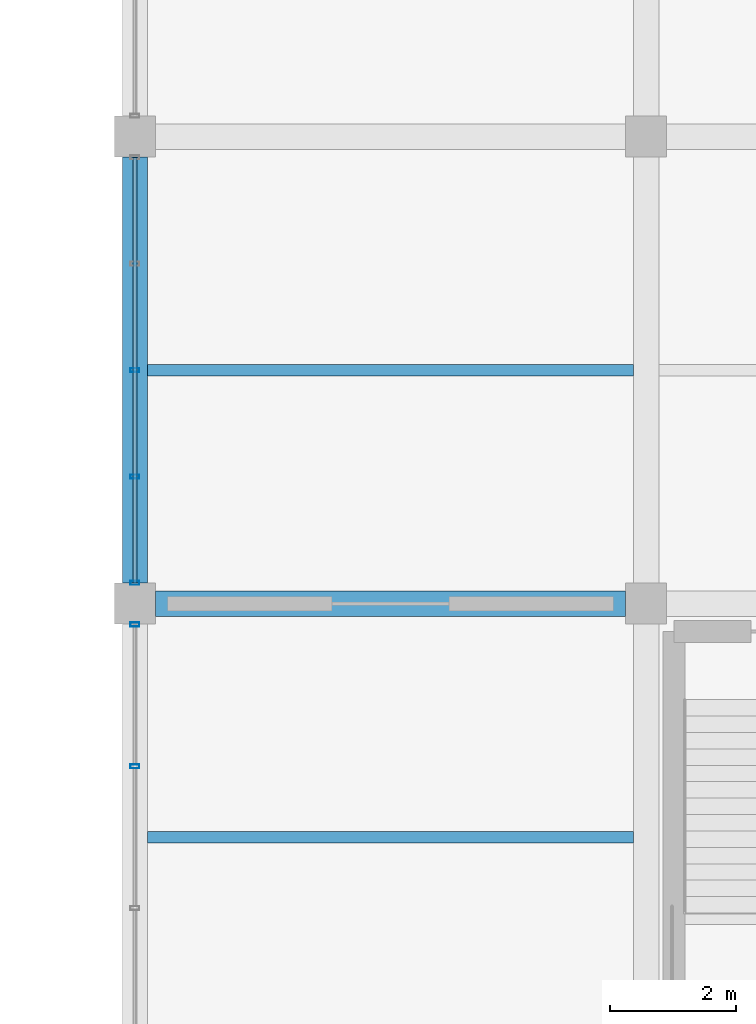
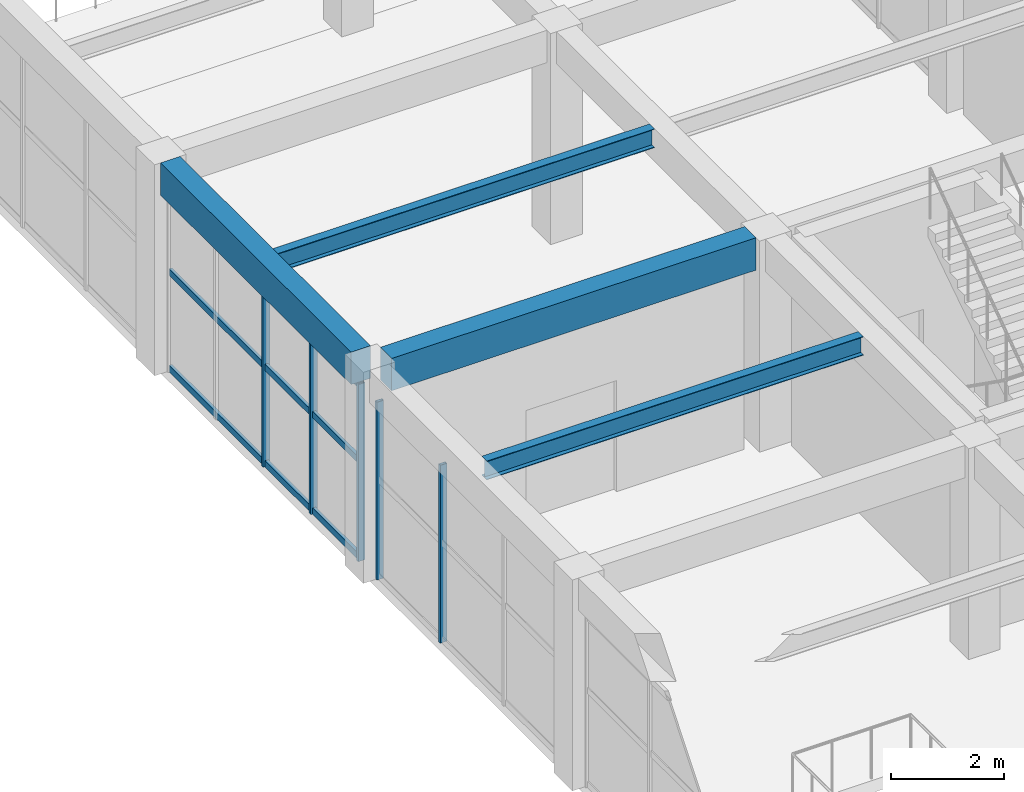
# One storey, part 62 of 161: 8 members, 4 beams, 2 elements without a shape of their own.
"""IFC4 building model written with IfcOpenShell, lengths in metres."""

import ifcopenshell
import ifcopenshell.guid

model = None  # the IFC model being written
_history = None  # IfcOwnerHistory: only IFC2X3 demands one
_inside = {}  # id of a spatial element -> (the spatial element, [elements in it])
_under = {}  # id of a project, library or spatial element -> (it, [spatial elements below it])
_declared = {}  # id of a project -> (the project, [libraries it declares])
_typed = {}  # id of a type object -> (the type object, [elements of that type])
_made_of = {}  # id of a material, layer set ... -> (it, [elements and type objects made of it])


def new_model(schema):
    """Start an empty IFC model of exactly this schema.

    Asked for "IFC4X3", IfcOpenShell would pick the latest addendum, in which some entities
    have other attributes; the version numbers below select the first issue.
    IFC2X3 requires an IfcOwnerHistory on every rooted entity: one is made here for all.
    """
    global model, _history
    if schema == "IFC4X3":
        model = ifcopenshell.file(schema_version=(4, 3, 0, 0))
    else:
        model = ifcopenshell.file(schema=schema)
    _inside.clear()
    _under.clear()
    _declared.clear()
    _typed.clear()
    _made_of.clear()
    _history = None
    if model.schema == "IFC2X3":
        org = make("IfcOrganization", Name="unknown")
        user = make(
            "IfcPersonAndOrganization",
            ThePerson=make("IfcPerson", FamilyName="unknown"),
            TheOrganization=org,
        )
        app = make(
            "IfcApplication",
            ApplicationDeveloper=org,
            Version="unknown",
            ApplicationFullName="unknown",
            ApplicationIdentifier="unknown",
        )
        _history = make(
            "IfcOwnerHistory",
            OwningUser=user,
            OwningApplication=app,
            ChangeAction="ADDED",
            CreationDate=0,
        )
    return model


def make(cls, **values):
    """One entity of the class cls with the attributes given. An attribute that is None is left unset."""
    return model.create_entity(
        cls, **{name: value for name, value in values.items() if value is not None}
    )


def rooted(cls, **values):
    """An entity with a GlobalId (a new one), such as an element, a storey or a relation."""
    return make(cls, GlobalId=ifcopenshell.guid.new(), OwnerHistory=_history, **values)


def si_unit(unit_type, name, prefix=None):
    """IfcSIUnit, for example si_unit("LENGTHUNIT", "METRE", prefix="MILLI")."""
    return make("IfcSIUnit", UnitType=unit_type, Prefix=prefix, Name=name)


def assignment(units):
    """IfcUnitAssignment: the units of a project."""
    return None if units is None else make("IfcUnitAssignment", Units=units)


def point(xyz):
    """IfcCartesianPoint."""
    return None if xyz is None else make("IfcCartesianPoint", Coordinates=xyz)


def direction(xyz):
    """IfcDirection."""
    return None if xyz is None else make("IfcDirection", DirectionRatios=xyz)


def frame(location, z_axis=None, x_axis=None):
    """IfcAxis2Placement3D, a coordinate frame: its origin and axes. An axis left out is left unset."""
    return make(
        "IfcAxis2Placement3D",
        Location=point(location),
        Axis=direction(z_axis),
        RefDirection=direction(x_axis),
    )


def frame_2d(location, x_axis=None):
    """IfcAxis2Placement2D, a coordinate frame in the plane: its origin and x axis."""
    return make(
        "IfcAxis2Placement2D", Location=point(location), RefDirection=direction(x_axis)
    )


def origin():
    """The frame at (0, 0, 0) with its axes left unset."""
    return frame((0.0, 0.0, 0.0))


def origin_2d():
    """The frame at (0, 0) in the plane with its x axis left unset."""
    return frame_2d((0.0, 0.0))


def place(relative_to, where):
    """IfcLocalPlacement: puts the frame where relative to a parent placement (None: the world)."""
    return make(
        "IfcLocalPlacement", PlacementRelTo=relative_to, RelativePlacement=where
    )


def context(
    kind, dimensions, precision=None, world=None, true_north=None, identifier=None
):
    """IfcGeometricRepresentationContext, for example the 3D "Model" context."""
    return make(
        "IfcGeometricRepresentationContext",
        ContextIdentifier=identifier,
        ContextType=kind,
        CoordinateSpaceDimension=dimensions,
        Precision=precision,
        WorldCoordinateSystem=world,
        TrueNorth=true_north,
    )


def subcontext(parent, identifier, kind, view, scale=None):
    """IfcGeometricRepresentationSubContext, for example "Body" below "Model"."""
    return make(
        "IfcGeometricRepresentationSubContext",
        ContextIdentifier=identifier,
        ContextType=kind,
        ParentContext=parent,
        TargetScale=scale,
        TargetView=view,
    )


def project(units=None, contexts=None):
    """IfcProject with its units and contexts."""
    return rooted(
        "IfcProject",
        Name="project",
        RepresentationContexts=contexts,
        UnitsInContext=assignment(units),
    )


def spatial(cls, under=None, at=None, **own):
    """A site, building, storey or space (cls), placed at a placement, below another one or the project."""
    s = rooted(cls, ObjectPlacement=at, **own)
    if under is not None:
        _under.setdefault(under.id(), (under, []))[1].append(s)
    return s


def profile(cls, at=None, kind="AREA", **sizes):
    """A parametric profile (cls). Its sizes go by their IFC names, for example OverallWidth=200.0."""
    return make(cls, ProfileType=kind, Position=at, **sizes)


def rectangle(**sizes):
    """IfcRectangleProfileDef."""
    return profile("IfcRectangleProfileDef", **sizes)


def hollow_rectangle(**sizes):
    """IfcRectangleHollowProfileDef."""
    return profile("IfcRectangleHollowProfileDef", **sizes)


def i_section(**sizes):
    """IfcIShapeProfileDef."""
    return profile("IfcIShapeProfileDef", **sizes)


def extrude(swept, where, along, depth):
    """IfcExtrudedAreaSolid: the profile swept, set in the frame where, extruded along a direction by depth."""
    return make(
        "IfcExtrudedAreaSolid",
        SweptArea=swept,
        Position=where,
        ExtrudedDirection=direction(along),
        Depth=depth,
    )


def shape(context_of_items, identifier, shape_type, items):
    """IfcShapeRepresentation: the items that make up one representation, for example the "Body"."""
    return make(
        "IfcShapeRepresentation",
        ContextOfItems=context_of_items,
        RepresentationIdentifier=identifier,
        RepresentationType=shape_type,
        Items=items,
    )


def material(Name=None, Category=None):
    """IfcMaterial."""
    return make("IfcMaterial", Name=Name, Category=Category)


def material_profile(
    of_material, cross_section, Name=None, Category=None, Priority=None
):
    """IfcMaterialProfile: a cross section and its material."""
    return make(
        "IfcMaterialProfile",
        Name=Name,
        Material=of_material,
        Profile=cross_section,
        Priority=Priority,
        Category=Category,
    )


def profile_set(profiles, Name=None, composite=None):
    """IfcMaterialProfileSet."""
    return make(
        "IfcMaterialProfileSet",
        Name=Name,
        MaterialProfiles=profiles,
        CompositeProfile=composite,
    )


def made_of(thing, what):
    """Note that an element or type object is made of a material, layer set ...; save() writes the relation."""
    if what is not None:
        _made_of.setdefault(what.id(), (what, []))[1].append(thing)
    return thing


def type_object(cls, material=None, **own):
    """A type object (cls), such as IfcWallType, which elements share."""
    return made_of(rooted(cls, **own), material)


def element(
    cls,
    number,
    at=None,
    inside=None,
    cuts=None,
    type_object=None,
    material=None,
    context=None,
    identifier="Body",
    shape_type=None,
    held_by="IfcProductDefinitionShape",
    body=None,
    shapes=None,
    **own,
):
    """One element of the class cls, such as IfcWall. Its Tag is "e" and its number.

    at: its placement. inside: the storey or other place that contains it. cuts: it is an
    opening in that element (IfcRelVoidsElement). A single representation is given by context,
    identifier, shape_type and body (its items); several are given by shapes. held_by: the class
    of the entity that holds the representations. save() writes the other relations.
    """
    e = rooted(cls, Tag="e%d" % number, ObjectPlacement=at, **own)
    if body is not None:
        shapes = [shape(context, identifier, shape_type, body)]
    if shapes is not None:
        e.Representation = make(held_by, Representations=shapes)
    if inside is not None:
        _inside.setdefault(inside.id(), (inside, []))[1].append(e)
    if cuts is not None:
        rooted(
            "IfcRelVoidsElement", RelatingBuildingElement=cuts, RelatedOpeningElement=e
        )
    if type_object is not None:
        _typed.setdefault(type_object.id(), (type_object, []))[1].append(e)
    return made_of(e, material)


def aggregate(whole, parts):
    """IfcRelAggregates: a whole, such as a stair, and the parts it consists of."""
    return rooted("IfcRelAggregates", RelatingObject=whole, RelatedObjects=parts)


def save(model, path):
    """Write the relations noted so far, then the file.

    IfcRelAggregates (storeys below a building ...), IfcRelContainedInSpatialStructure (elements
    in a storey), IfcRelDefinesByType, IfcRelAssociatesMaterial and IfcRelDeclares: one each for
    every whole, place, type object, material and project.
    """
    for whole, parts in _under.values():
        aggregate(whole, parts)
    for where, things in _inside.values():
        rooted(
            "IfcRelContainedInSpatialStructure",
            RelatedElements=things,
            RelatingStructure=where,
        )
    for kind, things in _typed.values():
        rooted("IfcRelDefinesByType", RelatedObjects=things, RelatingType=kind)
    for what, things in _made_of.values():
        rooted("IfcRelAssociatesMaterial", RelatedObjects=things, RelatingMaterial=what)
    for by, libraries in _declared.values():
        rooted("IfcRelDeclares", RelatingContext=by, RelatedDefinitions=libraries)
    model.write(path)


model = new_model("IFC4")

# Units and contexts
model_context = context("Model", 3, precision=1e-05, world=origin(), true_north=direction((0.0, 1.0)))
body_context = subcontext(model_context, "Body", "Model", "MODEL_VIEW")
ifc_project = project(units=[si_unit("LENGTHUNIT", "METRE"), si_unit("AREAUNIT", "SQUARE_METRE"), si_unit("VOLUMEUNIT", "CUBIC_METRE"), si_unit("PLANEANGLEUNIT", "RADIAN"), si_unit("MASSUNIT", "GRAM", prefix="KILO")], contexts=[model_context])

# Site, building, storey
site_placement = place(None, origin())
site = spatial("IfcSite", under=ifc_project, at=site_placement, CompositionType="ELEMENT")
building_placement = place(site_placement, origin())
building = spatial("IfcBuilding", under=site, at=building_placement, Name="Cimatlan Art Gallery", CompositionType="ELEMENT")
storey_placement = place(building_placement, frame((0.0, 0.0, 5.39990234375)))
storey = spatial("IfcBuildingStorey", under=building, at=storey_placement, Name="L01", CompositionType="ELEMENT", Elevation=5.39990234375)

# Beams
ifc_material_1 = material(Name="Concrete C40/50", Category="concrete")
ifc_material_profile_1 = material_profile(ifc_material_1, rectangle(XDim=0.39990234375, YDim=0.699951171875, at=origin_2d()), Name="RC400X700")
ifc_profile_set_1 = profile_set([ifc_material_profile_1], Name="Concrete C40/50")
beam_type_1 = type_object("IfcBeamType", Name="BM-RC-400X700", PredefinedType="BEAM", material=ifc_profile_set_1)
beam_1_placement = place(storey_placement, frame((115.39990234375, 53.824951171875, 4.210205078125), z_axis=(0.0, 1.0, 0.0), x_axis=(-1.0, 0.0, 0.0)))
element("IfcBeam", 1, at=beam_1_placement, inside=storey, type_object=beam_type_1, Name="BM-Y-L01-14-07", PredefinedType="BEAM", context=body_context, shape_type="SweptSolid", body=[
    extrude(rectangle(XDim=0.39990234375, YDim=0.699951171875, at=origin_2d()), origin(), (0.0, 0.0, 1.0), 6.75),
])
beam_2_placement = place(storey_placement, frame((115.72509765625, 53.5, 4.210205078125), z_axis=(1.0, 0.0, 0.0), x_axis=(0.0, 1.0, 0.0)))
element("IfcBeam", 2, at=beam_2_placement, inside=storey, type_object=beam_type_1, Name="BM-X-L01-14-07", PredefinedType="BEAM", context=body_context, shape_type="SweptSolid", body=[
    extrude(rectangle(XDim=0.39990234375, YDim=0.699951171875, at=origin_2d()), origin(), (0.0, 0.0, 1.0), 7.449951171875),
])
ifc_material_2 = material(Name="Steel ASTM A992 Grade 50", Category="steel")
ifc_material_profile_2 = material_profile(ifc_material_2, i_section(OverallWidth=0.177978515625, OverallDepth=0.406982421875, WebThickness=0.0078125, FlangeThickness=0.0126953125, at=origin_2d()), Name="W16X40")
ifc_profile_set_2 = profile_set([ifc_material_profile_2], Name="Steel ASTM A992 Grade 50")
beam_type_2 = type_object("IfcBeamType", Name="BM-STL-W16X40", PredefinedType="JOIST", material=ifc_profile_set_2)
for number, where, z_axis, x_axis, name in (
    (3, (115.60009765625, 49.800048828125, 4.356689453125), (1.0, 0.0, 0.0), (0.0, 1.0, 0.0), "JST-L01-14-06"),
    (4, (115.60009765625, 57.199951171875, 4.356689453125), (1.0, 0.0, 0.0), (0.0, 1.0, 0.0), "JST-L01-14-07"),
):
    element("IfcBeam", number, at=place(storey_placement, frame(where, z_axis=z_axis, x_axis=x_axis)), inside=storey, type_object=beam_type_2, Name=name, PredefinedType="JOIST", context=body_context, shape_type="SweptSolid", body=[
        extrude(i_section(OverallWidth=0.177978515625, OverallDepth=0.406982421875, WebThickness=0.0078125, FlangeThickness=0.0126953125, at=origin_2d()), origin(), (0.0, 0.0, 1.0), 7.699951171875),
    ])

# Curtain wall, members
ifc_material_3 = material(Name="Anodised bronze unitised curtain wall")
curtain_wall_type_1 = type_object("IfcCurtainWallType", Name="CW-V-06742X03845-B3", PredefinedType="NOTDEFINED", material=ifc_material_3)
curtain_wall_1_placement = place(storey_placement, origin())
curtain_wall_1 = element("IfcCurtainWall", 5, at=curtain_wall_1_placement, inside=storey, type_object=curtain_wall_type_1, Name="CW-L01-14-06-W", PredefinedType="NOTDEFINED")
ifc_material_4 = material(Name="Anodised bronze aluminium 6063-T6", Category="aluminium")
ifc_material_profile_3 = material_profile(ifc_material_4, hollow_rectangle(XDim=0.06494140625, YDim=0.139892578125, WallThickness=0.00390625, at=origin_2d()), Name="ALU65X140X4")
ifc_profile_set_3 = profile_set([ifc_material_profile_3], Name="Anodised bronze aluminium 6063-T6")
member_type_1 = type_object("IfcMemberType", Name="CW-MUL-140", PredefinedType="MULLION", material=ifc_profile_set_3)
member_1_placement = place(storey_placement, frame((115.39990234375, 50.923583984375, 0.0), z_axis=(0.0, 0.0, 1.0), x_axis=(0.0, 1.0, 0.0)))
member_1 = element("IfcMember", 6, at=member_1_placement, type_object=member_type_1, Name="CW-L01-14-06-W-M3", PredefinedType="MULLION", context=body_context, shape_type="SweptSolid", body=[
    extrude(hollow_rectangle(XDim=0.06494140625, YDim=0.139892578125, WallThickness=0.00390625, at=origin_2d()), origin(), (0.0, 0.0, 1.0), 3.84521484375),
])
member_2_placement = place(storey_placement, frame((115.39990234375, 53.1708984375, 0.0), z_axis=(0.0, 0.0, 1.0), x_axis=(0.0, 1.0, 0.0)))
member_2 = element("IfcMember", 7, at=member_2_placement, type_object=member_type_1, Name="CW-L01-14-06-W-M4", PredefinedType="MULLION", context=body_context, shape_type="SweptSolid", body=[
    extrude(hollow_rectangle(XDim=0.06494140625, YDim=0.139892578125, WallThickness=0.00390625, at=origin_2d()), origin(), (0.0, 0.0, 1.0), 3.84521484375),
])
aggregate(curtain_wall_1, [member_1, member_2])

curtain_wall_type_2 = type_object("IfcCurtainWallType", Name="CW-V-06742X03830-B4", PredefinedType="NOTDEFINED", material=ifc_material_3)
curtain_wall_2_placement = place(storey_placement, origin())
curtain_wall_2 = element("IfcCurtainWall", 8, at=curtain_wall_2_placement, inside=storey, type_object=curtain_wall_type_2, Name="CW-L01-14-07-W", PredefinedType="NOTDEFINED")
member_3_placement = place(storey_placement, frame((115.39990234375, 53.8291015625, 0.0), z_axis=(0.0, 0.0, 1.0), x_axis=(0.0, 1.0, 0.0)))
member_3 = element("IfcMember", 9, at=member_3_placement, type_object=member_type_1, Name="CW-L01-14-07-W-M1", PredefinedType="MULLION", context=body_context, shape_type="SweptSolid", body=[
    extrude(hollow_rectangle(XDim=0.06494140625, YDim=0.139892578125, WallThickness=0.00390625, at=origin_2d()), origin(), (0.0, 0.0, 1.0), 3.830078125),
])
member_4_placement = place(storey_placement, frame((115.39990234375, 55.514404296875, 0.0), z_axis=(0.0, 0.0, 1.0), x_axis=(0.0, 1.0, 0.0)))
member_4 = element("IfcMember", 10, at=member_4_placement, type_object=member_type_1, Name="CW-L01-14-07-W-M2", PredefinedType="MULLION", context=body_context, shape_type="SweptSolid", body=[
    extrude(hollow_rectangle(XDim=0.06494140625, YDim=0.139892578125, WallThickness=0.00390625, at=origin_2d()), origin(), (0.0, 0.0, 1.0), 3.830078125),
])
member_5_placement = place(storey_placement, frame((115.39990234375, 57.199951171875, 0.0), z_axis=(0.0, 0.0, 1.0), x_axis=(0.0, 1.0, 0.0)))
member_5 = element("IfcMember", 11, at=member_5_placement, type_object=member_type_1, Name="CW-L01-14-07-W-M3", PredefinedType="MULLION", context=body_context, shape_type="SweptSolid", body=[
    extrude(hollow_rectangle(XDim=0.06494140625, YDim=0.139892578125, WallThickness=0.00390625, at=origin_2d()), origin(), (0.0, 0.0, 1.0), 3.830078125),
])
ifc_material_profile_4 = material_profile(ifc_material_4, hollow_rectangle(XDim=0.06494140625, YDim=0.139892578125, WallThickness=0.00390625, at=origin_2d()), Name="ALU65X140X4")
ifc_profile_set_4 = profile_set([ifc_material_profile_4], Name="Anodised bronze aluminium 6063-T6")
member_type_2 = type_object("IfcMemberType", Name="CW-TRN-140", PredefinedType="USERDEFINED", material=ifc_profile_set_4)
member_6_placement = place(storey_placement, frame((115.39990234375, 53.8291015625, 0.06005859375), z_axis=(0.0, 1.0, 0.0), x_axis=(-1.0, 0.0, 0.0)))
member_6 = element("IfcMember", 12, at=member_6_placement, type_object=member_type_2, Name="CW-L01-14-07-W-T1", ObjectType="TRANSOM", PredefinedType="USERDEFINED", context=body_context, shape_type="SweptSolid", body=[
    extrude(hollow_rectangle(XDim=0.06494140625, YDim=0.139892578125, WallThickness=0.00390625, at=origin_2d()), origin(), (0.0, 0.0, 1.0), 6.741943359375),
])
member_7_placement = place(storey_placement, frame((115.39990234375, 53.8291015625, 2.14501953125), z_axis=(0.0, 1.0, 0.0), x_axis=(-1.0, 0.0, 0.0)))
member_7 = element("IfcMember", 13, at=member_7_placement, type_object=member_type_2, Name="CW-L01-14-07-W-T2", ObjectType="TRANSOM", PredefinedType="USERDEFINED", context=body_context, shape_type="SweptSolid", body=[
    extrude(hollow_rectangle(XDim=0.06494140625, YDim=0.139892578125, WallThickness=0.00390625, at=origin_2d()), origin(), (0.0, 0.0, 1.0), 6.741943359375),
])
member_8_placement = place(storey_placement, frame((115.39990234375, 53.8291015625, 3.77001953125), z_axis=(0.0, 1.0, 0.0), x_axis=(-1.0, 0.0, 0.0)))
member_8 = element("IfcMember", 14, at=member_8_placement, type_object=member_type_2, Name="CW-L01-14-07-W-T3", ObjectType="TRANSOM", PredefinedType="USERDEFINED", context=body_context, shape_type="SweptSolid", body=[
    extrude(hollow_rectangle(XDim=0.06494140625, YDim=0.139892578125, WallThickness=0.00390625, at=origin_2d()), origin(), (0.0, 0.0, 1.0), 6.741943359375),
])
aggregate(curtain_wall_2, [member_3, member_4, member_5, member_6, member_7, member_8])

save(model, "model.ifc")
